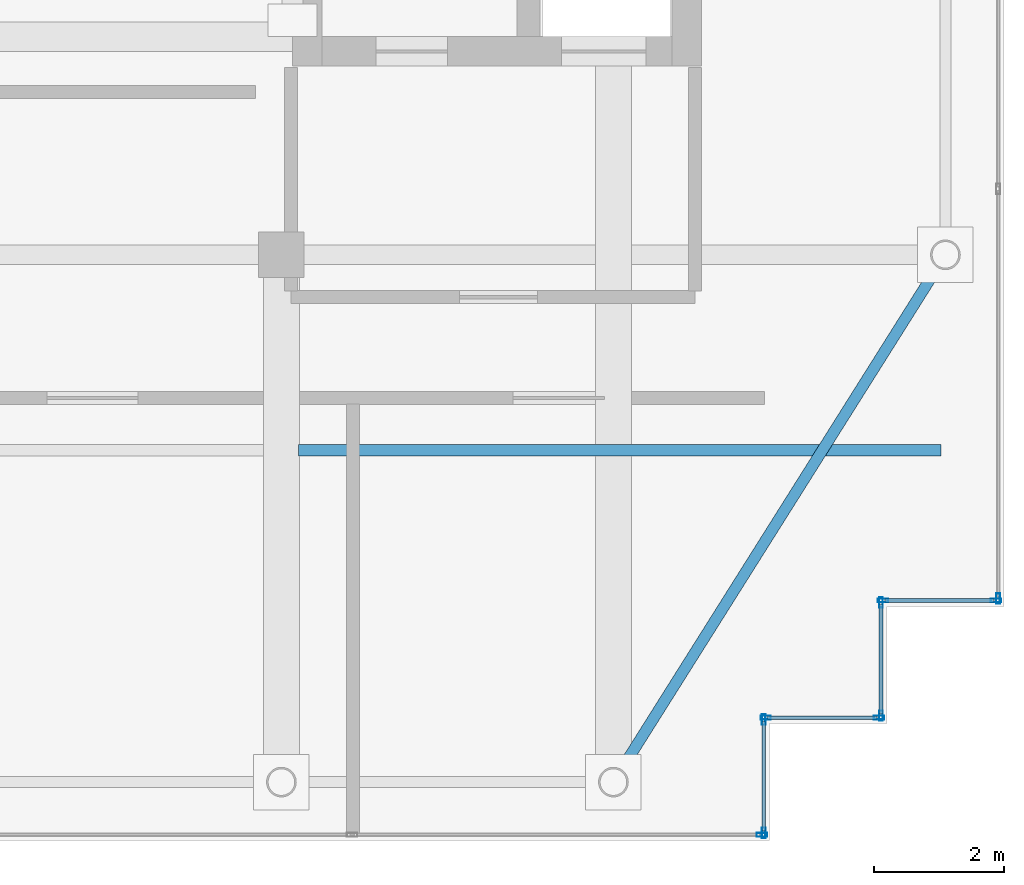
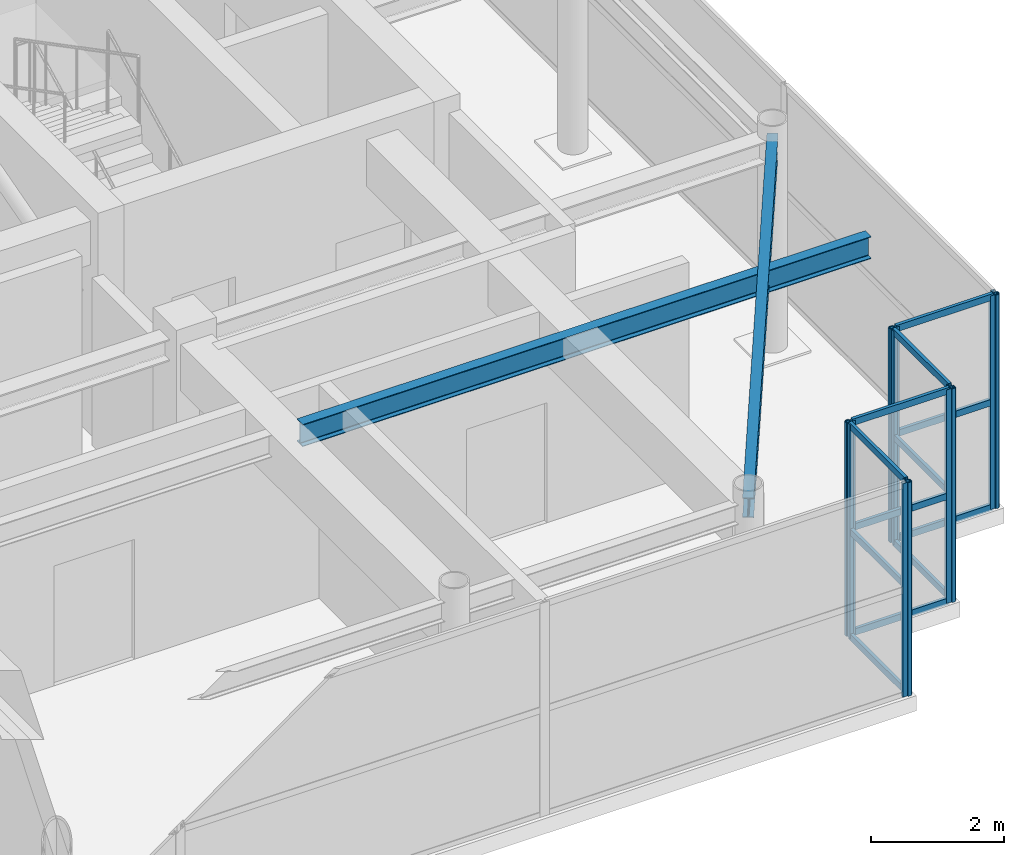
# One storey, part 15 of 32: 22 members, 2 beams, 6 elements without a shape of their own.
"""IFC4 building model written with IfcOpenShell, lengths in metres."""

from ifc_helpers import new_model, si_unit, direction, frame, origin, origin_2d, place, context, subcontext, project, spatial, hollow_rectangle, i_section, extrude, source, transform, mapped, material, layer, layer_set, material_profile, profile_set, type_object, element, aggregate, save


model = new_model("IFC4")

# Units and contexts
model_context = context("Model", 3, precision=1e-05, world=origin(), true_north=direction((0.0, 1.0)))
body_context = subcontext(model_context, "Body", "Model", "MODEL_VIEW")
ifc_project = project(units=[si_unit("LENGTHUNIT", "METRE"), si_unit("AREAUNIT", "SQUARE_METRE"), si_unit("VOLUMEUNIT", "CUBIC_METRE"), si_unit("PLANEANGLEUNIT", "RADIAN"), si_unit("MASSUNIT", "GRAM", prefix="KILO")], contexts=[model_context])

# Site, building, storey
site_placement = place(None, origin())
site = spatial("IfcSite", under=ifc_project, at=site_placement, CompositionType="ELEMENT")
building_placement = place(site_placement, origin())
building = spatial("IfcBuilding", under=site, at=building_placement, Name="Khoralis Quay Care Tower", CompositionType="ELEMENT")
storey_placement = place(building_placement, frame((0.0, 0.0, 293.699951171875)))
storey = spatial("IfcBuildingStorey", under=building, at=storey_placement, Name="L77", CompositionType="ELEMENT", Elevation=293.699951171875)

# Beams
ifc_material_1 = material(Name="Steel S355", Category="steel")
ifc_material_profile_1 = material_profile(ifc_material_1, i_section(OverallWidth=0.169921875, OverallDepth=0.360107421875, WebThickness=0.008056640625, FlangeThickness=0.0126953125, FilletRadius=0.01806640625, at=origin_2d()), Name="Steel S355")
ifc_profile_set_1 = profile_set([ifc_material_profile_1], Name="Steel S355")
beam_type_1 = type_object("IfcBeamType", Name="BM-IPE360", PredefinedType="SPANDREL", material=ifc_profile_set_1)
shared_shape_1 = source(origin(), body_context, "Body", "SweptSolid", [
    extrude(i_section(OverallWidth=0.169921875, OverallDepth=0.360107421875, WebThickness=0.008056640625, FlangeThickness=0.0126953125, FilletRadius=0.01806640625, at=origin_2d()), origin(), (0.0, 0.0, 1.0), 9.572021484375),
])
beam_1_placement = place(storey_placement, frame((36.0, 3.89990234375, 3.739990234375), z_axis=(0.532815975602, 0.846231136359, 0.0), x_axis=(-0.846231136359, 0.532815975602, 0.0)))
element("IfcBeam", 1, at=beam_1_placement, inside=storey, type_object=beam_type_1, Name="BM-TCR-L77-18", PredefinedType="SPANDREL", context=body_context, shape_type="MappedRepresentation", body=[
    mapped(shared_shape_1, transform((0.0, 0.0, 0.0), scale=1.0)),
])
ifc_material_profile_2 = material_profile(ifc_material_1, i_section(OverallWidth=0.177978515625, OverallDepth=0.406982421875, WebThickness=0.0078125, FlangeThickness=0.0126953125, FilletRadius=0.012939453125, at=origin_2d()), Name="Steel S355")
ifc_profile_set_2 = profile_set([ifc_material_profile_2], Name="Steel S355")
beam_type_2 = type_object("IfcBeamType", Name="BM-W410X60", PredefinedType="JOIST", material=ifc_profile_set_2)
shared_shape_2 = source(origin(), body_context, "Body", "SweptSolid", [
    extrude(i_section(OverallWidth=0.177978515625, OverallDepth=0.406982421875, WebThickness=0.0078125, FlangeThickness=0.0126953125, FilletRadius=0.012939453125, at=origin_2d()), origin(), (0.0, 0.0, 1.0), 9.865966796875),
])
beam_2_placement = place(storey_placement, frame((31.1630859375, 9.0, 3.716552734375), z_axis=(1.0, 0.0, 0.0), x_axis=(0.0, 1.0, 0.0)))
element("IfcBeam", 2, at=beam_2_placement, inside=storey, type_object=beam_type_2, Name="BM-TJS-L77-22", PredefinedType="JOIST", context=body_context, shape_type="MappedRepresentation", body=[
    mapped(shared_shape_2, transform((0.0, 0.0, 0.0), scale=1.0)),
])

# Curtain wall, member
ifc_material_2 = material(Name="Pale anodised aluminium", Category="aluminium")
ifc_layer = layer(ifc_material_2, 0.199951171875)
ifc_layer_set = layer_set([ifc_layer], Name="Pale anodised aluminium")
curtain_wall_type = type_object("IfcCurtainWallType", Name="CW-SYS-LANTERN", PredefinedType="NOTDEFINED", material=ifc_layer_set)
curtain_wall_1_placement = place(storey_placement, origin())
curtain_wall_1 = element("IfcCurtainWall", 3, at=curtain_wall_1_placement, inside=storey, type_object=curtain_wall_type, Name="L77 Unitised Curtain Wall CW-LN-L77-01", PredefinedType="NOTDEFINED")
ifc_material_profile_3 = material_profile(ifc_material_2, hollow_rectangle(XDim=0.06005859375, YDim=0.159912109375, WallThickness=0.00390625, at=origin_2d()), Name="Pale anodised aluminium")
ifc_profile_set_3 = profile_set([ifc_material_profile_3], Name="Pale anodised aluminium")
member_type_1 = type_object("IfcMemberType", Name="CW-MUL-160", PredefinedType="MULLION", material=ifc_profile_set_3)
shared_shape_3 = source(origin(), body_context, "Body", "SweptSolid", [
    extrude(hollow_rectangle(XDim=0.06005859375, YDim=0.159912109375, WallThickness=0.00390625, at=origin_2d()), origin(), (0.0, 0.0, 1.0), 3.920166015625),
])
member_1_placement = place(storey_placement, frame((38.280029296875, 3.090087890625, 0.0), z_axis=(0.0, 0.0, 1.0), x_axis=(0.0, 1.0, 0.0)))
member_1 = element("IfcMember", 4, at=member_1_placement, type_object=member_type_1, Name="CW5 mullion 6", PredefinedType="MULLION", context=body_context, shape_type="MappedRepresentation", body=[
    mapped(shared_shape_3, transform((0.0, 0.0, 0.0), scale=1.0)),
])
aggregate(curtain_wall_1, [member_1])

# Curtain wall, members
curtain_wall_2_placement = place(storey_placement, origin())
curtain_wall_2 = element("IfcCurtainWall", 5, at=curtain_wall_2_placement, inside=storey, type_object=curtain_wall_type, Name="L77 Unitised Curtain Wall CW-LN-L77-02", PredefinedType="NOTDEFINED")
member_2_placement = place(storey_placement, frame((38.31005859375, 3.1201171875, 0.0), z_axis=(0.0, 0.0, 1.0), x_axis=(-1.0, 0.0, 0.0)))
member_2 = element("IfcMember", 6, at=member_2_placement, type_object=member_type_1, Name="CW5 mullion 1", PredefinedType="MULLION", context=body_context, shape_type="MappedRepresentation", body=[
    mapped(shared_shape_3, transform((0.0, 0.0, 0.0), scale=1.0)),
])
member_3_placement = place(storey_placement, frame((38.31005859375, 4.860107421875, 0.0), z_axis=(0.0, 0.0, 1.0), x_axis=(-1.0, 0.0, 0.0)))
member_3 = element("IfcMember", 7, at=member_3_placement, type_object=member_type_1, Name="CW5 mullion 2", PredefinedType="MULLION", context=body_context, shape_type="MappedRepresentation", body=[
    mapped(shared_shape_3, transform((0.0, 0.0, 0.0), scale=1.0)),
])

curtain_wall_3_placement = place(storey_placement, origin())
curtain_wall_3 = element("IfcCurtainWall", 8, at=curtain_wall_3_placement, inside=storey, type_object=curtain_wall_type, Name="L77 Unitised Curtain Wall CW-LN-L77-03", PredefinedType="NOTDEFINED")
member_4_placement = place(storey_placement, frame((38.340087890625, 4.889892578125, 0.0), z_axis=(0.0, 0.0, 1.0), x_axis=(0.0, 1.0, 0.0)))
member_4 = element("IfcMember", 9, at=member_4_placement, type_object=member_type_1, Name="CW5 mullion 1", PredefinedType="MULLION", context=body_context, shape_type="MappedRepresentation", body=[
    mapped(shared_shape_3, transform((0.0, 0.0, 0.0), scale=1.0)),
])
member_5_placement = place(storey_placement, frame((40.080078125, 4.889892578125, 0.0), z_axis=(0.0, 0.0, 1.0), x_axis=(0.0, 1.0, 0.0)))
member_5 = element("IfcMember", 10, at=member_5_placement, type_object=member_type_1, Name="CW5 mullion 2", PredefinedType="MULLION", context=body_context, shape_type="MappedRepresentation", body=[
    mapped(shared_shape_3, transform((0.0, 0.0, 0.0), scale=1.0)),
])

curtain_wall_4_placement = place(storey_placement, origin())
curtain_wall_4 = element("IfcCurtainWall", 11, at=curtain_wall_4_placement, inside=storey, type_object=curtain_wall_type, Name="L77 Unitised Curtain Wall CW-LN-L77-04", PredefinedType="NOTDEFINED")
member_6_placement = place(storey_placement, frame((40.110107421875, 4.919921875, 0.0), z_axis=(0.0, 0.0, 1.0), x_axis=(-1.0, 0.0, 0.0)))
member_6 = element("IfcMember", 12, at=member_6_placement, type_object=member_type_1, Name="CW5 mullion 1", PredefinedType="MULLION", context=body_context, shape_type="MappedRepresentation", body=[
    mapped(shared_shape_3, transform((0.0, 0.0, 0.0), scale=1.0)),
])
member_7_placement = place(storey_placement, frame((40.110107421875, 6.659912109375, 0.0), z_axis=(0.0, 0.0, 1.0), x_axis=(-1.0, 0.0, 0.0)))
member_7 = element("IfcMember", 13, at=member_7_placement, type_object=member_type_1, Name="CW5 mullion 2", PredefinedType="MULLION", context=body_context, shape_type="MappedRepresentation", body=[
    mapped(shared_shape_3, transform((0.0, 0.0, 0.0), scale=1.0)),
])

curtain_wall_5_placement = place(storey_placement, origin())
curtain_wall_5 = element("IfcCurtainWall", 14, at=curtain_wall_5_placement, inside=storey, type_object=curtain_wall_type, Name="L77 Unitised Curtain Wall CW-LN-L77-05", PredefinedType="NOTDEFINED")
member_8_placement = place(storey_placement, frame((40.139892578125, 6.68994140625, 0.0), z_axis=(0.0, 0.0, 1.0), x_axis=(0.0, 1.0, 0.0)))
member_8 = element("IfcMember", 15, at=member_8_placement, type_object=member_type_1, Name="CW5 mullion 1", PredefinedType="MULLION", context=body_context, shape_type="MappedRepresentation", body=[
    mapped(shared_shape_3, transform((0.0, 0.0, 0.0), scale=1.0)),
])
member_9_placement = place(storey_placement, frame((41.8798828125, 6.68994140625, 0.0), z_axis=(0.0, 0.0, 1.0), x_axis=(0.0, 1.0, 0.0)))
member_9 = element("IfcMember", 16, at=member_9_placement, type_object=member_type_1, Name="CW5 mullion 2", PredefinedType="MULLION", context=body_context, shape_type="MappedRepresentation", body=[
    mapped(shared_shape_3, transform((0.0, 0.0, 0.0), scale=1.0)),
])

# Curtain wall, member
curtain_wall_6_placement = place(storey_placement, origin())
curtain_wall_6 = element("IfcCurtainWall", 17, at=curtain_wall_6_placement, inside=storey, type_object=curtain_wall_type, Name="L77 Unitised Curtain Wall CW-LN-L77-06", PredefinedType="NOTDEFINED")
member_10_placement = place(storey_placement, frame((41.909912109375, 6.719970703125, 0.0), z_axis=(0.0, 0.0, 1.0), x_axis=(-1.0, 0.0, 0.0)))
member_10 = element("IfcMember", 18, at=member_10_placement, type_object=member_type_1, Name="CW5 mullion 1", PredefinedType="MULLION", context=body_context, shape_type="MappedRepresentation", body=[
    mapped(shared_shape_3, transform((0.0, 0.0, 0.0), scale=1.0)),
])
aggregate(curtain_wall_6, [member_10])

# Member
ifc_material_profile_4 = material_profile(ifc_material_2, hollow_rectangle(XDim=0.054931640625, YDim=0.1201171875, WallThickness=0.00390625, at=origin_2d()), Name="Pale anodised aluminium")
ifc_profile_set_4 = profile_set([ifc_material_profile_4], Name="Pale anodised aluminium")
member_type_2 = type_object("IfcMemberType", Name="CW-TRN-120", PredefinedType="USERDEFINED", material=ifc_profile_set_4)
shared_shape_4 = source(origin(), body_context, "Body", "SweptSolid", [
    extrude(hollow_rectangle(XDim=0.054931640625, YDim=0.1201171875, WallThickness=0.00390625, at=origin_2d()), origin(), (0.0, 0.0, 1.0), 1.68017578125),
])
member_11_placement = place(storey_placement, frame((38.31005859375, 3.14990234375, 0.030029296875), z_axis=(0.0, 1.0, 0.0), x_axis=(-1.0, 0.0, 0.0)))
member_11 = element("IfcMember", 19, at=member_11_placement, type_object=member_type_2, Name="CW5 transom 1.1", ObjectType="TRANSOM", PredefinedType="USERDEFINED", context=body_context, shape_type="MappedRepresentation", body=[
    mapped(shared_shape_4, transform((0.0, 0.0, 0.0), scale=1.0)),
])

member_12_placement = place(storey_placement, frame((38.31005859375, 3.14990234375, 1.9599609375), z_axis=(0.0, 1.0, 0.0), x_axis=(-1.0, 0.0, 0.0)))
member_12 = element("IfcMember", 20, at=member_12_placement, type_object=member_type_2, Name="CW5 transom 1.2", ObjectType="TRANSOM", PredefinedType="USERDEFINED", context=body_context, shape_type="MappedRepresentation", body=[
    mapped(shared_shape_4, transform((0.0, 0.0, 0.0), scale=1.0)),
])

member_13_placement = place(storey_placement, frame((38.31005859375, 3.14990234375, 3.89013671875), z_axis=(0.0, 1.0, 0.0), x_axis=(-1.0, 0.0, 0.0)))
member_13 = element("IfcMember", 21, at=member_13_placement, type_object=member_type_2, Name="CW5 transom 1.3", ObjectType="TRANSOM", PredefinedType="USERDEFINED", context=body_context, shape_type="MappedRepresentation", body=[
    mapped(shared_shape_4, transform((0.0, 0.0, 0.0), scale=1.0)),
])

aggregate(curtain_wall_2, [member_2, member_3, member_11, member_12, member_13])

member_14_placement = place(storey_placement, frame((40.169921875, 6.68994140625, 0.030029296875), z_axis=(1.0, 0.0, 0.0), x_axis=(0.0, 1.0, 0.0)))
member_14 = element("IfcMember", 22, at=member_14_placement, type_object=member_type_2, Name="CW5 transom 1.1", ObjectType="TRANSOM", PredefinedType="USERDEFINED", context=body_context, shape_type="MappedRepresentation", body=[
    mapped(shared_shape_4, transform((0.0, 0.0, 0.0), scale=1.0)),
])

member_15_placement = place(storey_placement, frame((40.169921875, 6.68994140625, 1.9599609375), z_axis=(1.0, 0.0, 0.0), x_axis=(0.0, 1.0, 0.0)))
member_15 = element("IfcMember", 23, at=member_15_placement, type_object=member_type_2, Name="CW5 transom 1.2", ObjectType="TRANSOM", PredefinedType="USERDEFINED", context=body_context, shape_type="MappedRepresentation", body=[
    mapped(shared_shape_4, transform((0.0, 0.0, 0.0), scale=1.0)),
])

member_16_placement = place(storey_placement, frame((40.169921875, 6.68994140625, 3.89013671875), z_axis=(1.0, 0.0, 0.0), x_axis=(0.0, 1.0, 0.0)))
member_16 = element("IfcMember", 24, at=member_16_placement, type_object=member_type_2, Name="CW5 transom 1.3", ObjectType="TRANSOM", PredefinedType="USERDEFINED", context=body_context, shape_type="MappedRepresentation", body=[
    mapped(shared_shape_4, transform((0.0, 0.0, 0.0), scale=1.0)),
])

aggregate(curtain_wall_5, [member_8, member_9, member_14, member_15, member_16])

shared_shape_5 = source(origin(), body_context, "Body", "SweptSolid", [
    extrude(hollow_rectangle(XDim=0.054931640625, YDim=0.1201171875, WallThickness=0.00390625, at=origin_2d()), origin(), (0.0, 0.0, 1.0), 1.679931640625),
])
member_17_placement = place(storey_placement, frame((38.3701171875, 4.889892578125, 0.030029296875), z_axis=(1.0, 0.0, 0.0), x_axis=(0.0, 1.0, 0.0)))
member_17 = element("IfcMember", 25, at=member_17_placement, type_object=member_type_2, Name="CW5 transom 1.1", ObjectType="TRANSOM", PredefinedType="USERDEFINED", context=body_context, shape_type="MappedRepresentation", body=[
    mapped(shared_shape_5, transform((0.0, 0.0, 0.0), scale=1.0)),
])

member_18_placement = place(storey_placement, frame((38.3701171875, 4.889892578125, 1.9599609375), z_axis=(1.0, 0.0, 0.0), x_axis=(0.0, 1.0, 0.0)))
member_18 = element("IfcMember", 26, at=member_18_placement, type_object=member_type_2, Name="CW5 transom 1.2", ObjectType="TRANSOM", PredefinedType="USERDEFINED", context=body_context, shape_type="MappedRepresentation", body=[
    mapped(shared_shape_5, transform((0.0, 0.0, 0.0), scale=1.0)),
])

member_19_placement = place(storey_placement, frame((38.3701171875, 4.889892578125, 3.89013671875), z_axis=(1.0, 0.0, 0.0), x_axis=(0.0, 1.0, 0.0)))
member_19 = element("IfcMember", 27, at=member_19_placement, type_object=member_type_2, Name="CW5 transom 1.3", ObjectType="TRANSOM", PredefinedType="USERDEFINED", context=body_context, shape_type="MappedRepresentation", body=[
    mapped(shared_shape_5, transform((0.0, 0.0, 0.0), scale=1.0)),
])

aggregate(curtain_wall_3, [member_4, member_5, member_17, member_18, member_19])

member_20_placement = place(storey_placement, frame((40.110107421875, 4.949951171875, 0.030029296875), z_axis=(0.0, 1.0, 0.0), x_axis=(-1.0, 0.0, 0.0)))
member_20 = element("IfcMember", 28, at=member_20_placement, type_object=member_type_2, Name="CW5 transom 1.1", ObjectType="TRANSOM", PredefinedType="USERDEFINED", context=body_context, shape_type="MappedRepresentation", body=[
    mapped(shared_shape_5, transform((0.0, 0.0, 0.0), scale=1.0)),
])

member_21_placement = place(storey_placement, frame((40.110107421875, 4.949951171875, 1.9599609375), z_axis=(0.0, 1.0, 0.0), x_axis=(-1.0, 0.0, 0.0)))
member_21 = element("IfcMember", 29, at=member_21_placement, type_object=member_type_2, Name="CW5 transom 1.2", ObjectType="TRANSOM", PredefinedType="USERDEFINED", context=body_context, shape_type="MappedRepresentation", body=[
    mapped(shared_shape_5, transform((0.0, 0.0, 0.0), scale=1.0)),
])

member_22_placement = place(storey_placement, frame((40.110107421875, 4.949951171875, 3.89013671875), z_axis=(0.0, 1.0, 0.0), x_axis=(-1.0, 0.0, 0.0)))
member_22 = element("IfcMember", 30, at=member_22_placement, type_object=member_type_2, Name="CW5 transom 1.3", ObjectType="TRANSOM", PredefinedType="USERDEFINED", context=body_context, shape_type="MappedRepresentation", body=[
    mapped(shared_shape_5, transform((0.0, 0.0, 0.0), scale=1.0)),
])

aggregate(curtain_wall_4, [member_6, member_7, member_20, member_21, member_22])

save(model, "model.ifc")
